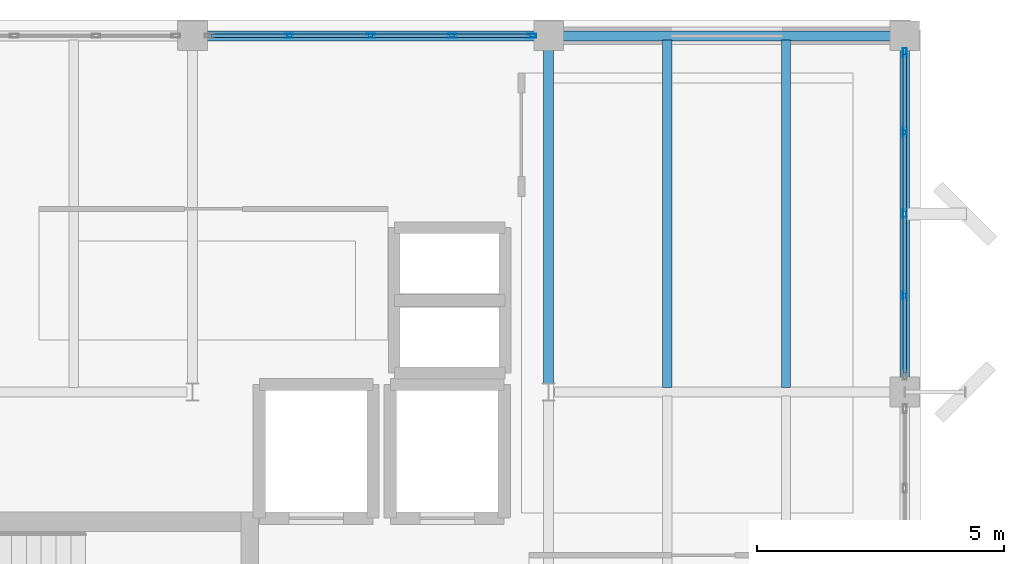
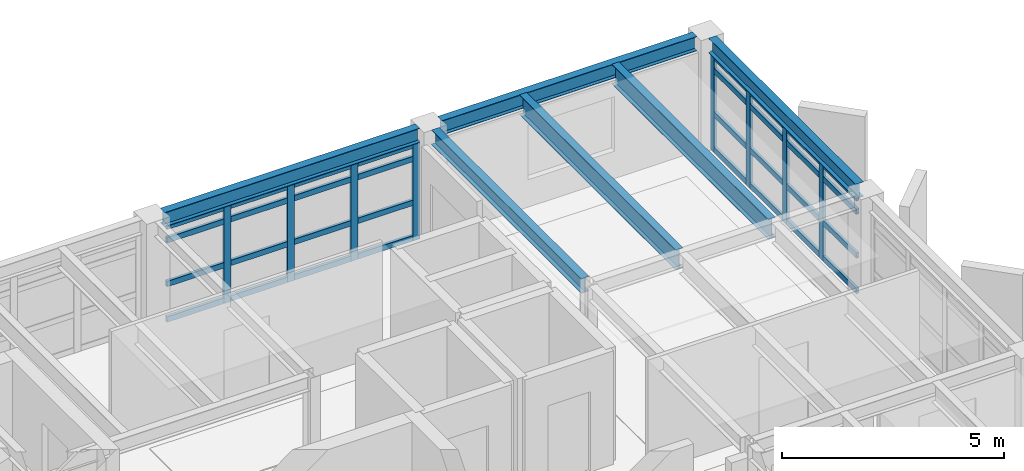
# One storey, part 8 of 15: 40 members, 6 beams, 2 elements without a shape of their own.
"""IFC4 building model written with IfcOpenShell, lengths in metres."""

from ifc_helpers import new_model, si_unit, direction, frame, origin, origin_2d, place, context, subcontext, project, spatial, hollow_rectangle, i_section, extrude, material, layer, layer_set, material_profile, profile_set, type_object, element, aggregate, save


model = new_model("IFC4")

# Units and contexts
model_context = context("Model", 3, precision=1e-05, world=origin(), true_north=direction((0.0, 1.0)))
body_context = subcontext(model_context, "Body", "Model", "MODEL_VIEW")
ifc_project = project(units=[si_unit("LENGTHUNIT", "METRE"), si_unit("AREAUNIT", "SQUARE_METRE"), si_unit("VOLUMEUNIT", "CUBIC_METRE"), si_unit("PLANEANGLEUNIT", "RADIAN"), si_unit("MASSUNIT", "GRAM", prefix="KILO")], contexts=[model_context])

# Site, building, storey
site_placement = place(None, origin())
site = spatial("IfcSite", under=ifc_project, at=site_placement, CompositionType="ELEMENT")
building_placement = place(site_placement, origin())
building = spatial("IfcBuilding", under=site, at=building_placement, Name="Kandorven Conservatory and Botanical Research Centre", CompositionType="ELEMENT")
storey_placement = place(building_placement, frame((0.0, 0.0, 56.10009765625)))
storey = spatial("IfcBuildingStorey", under=building, at=storey_placement, Name="L14", CompositionType="ELEMENT", Elevation=56.10009765625)

# Beams
ifc_material_1 = material(Name="Steel S355 (IS 2062 E350)", Category="steel")
ifc_material_profile_1 = material_profile(ifc_material_1, i_section(OverallWidth=0.199951171875, OverallDepth=0.39990234375, WebThickness=0.008544921875, FlangeThickness=0.012939453125, at=origin_2d()))
ifc_profile_set_1 = profile_set([ifc_material_profile_1], Name="Steel S355 (IS 2062 E350)")
beam_type_1 = type_object("IfcBeamType", Name="Beam_FG-03", PredefinedType="USERDEFINED", material=ifc_profile_set_1)
for number, where, z_axis, x_axis, name in (
    (1, (20.68994140625, 27.60009765625, 2.887939453125), (1.0, 0.0, 0.0), (0.0, 1.0, 0.0), "Primary girder FG-03 TWR L14"),
    (2, (27.889892578125, 27.60009765625, 2.887939453125), (1.0, 0.0, 0.0), (0.0, 1.0, 0.0), "Primary girder FG-03 TWR L14"),
):
    element("IfcBeam", number, at=place(storey_placement, frame(where, z_axis=z_axis, x_axis=x_axis)), inside=storey, type_object=beam_type_1, Name=name, ObjectType="GIRDER", PredefinedType="USERDEFINED", context=body_context, shape_type="SweptSolid", body=[
        extrude(i_section(OverallWidth=0.199951171875, OverallDepth=0.39990234375, WebThickness=0.008544921875, FlangeThickness=0.012939453125, at=origin_2d()), origin(), (0.0, 0.0, 1.0), 6.6201171875),
    ])
beam_1_placement = place(storey_placement, frame((27.60009765625, 20.56494140625, 2.887939453125), z_axis=(0.0, 1.0, 0.0), x_axis=(-1.0, 0.0, 0.0)))
element("IfcBeam", 3, at=beam_1_placement, inside=storey, type_object=beam_type_1, Name="Primary girder FG-03 TWR L14", ObjectType="GIRDER", PredefinedType="USERDEFINED", context=body_context, shape_type="SweptSolid", body=[
    extrude(i_section(OverallWidth=0.199951171875, OverallDepth=0.39990234375, WebThickness=0.008544921875, FlangeThickness=0.012939453125, at=origin_2d()), origin(), (0.0, 0.0, 1.0), 6.7451171875),
])
beam_2_placement = place(storey_placement, frame((34.800048828125, 20.68994140625, 2.887939453125), z_axis=(0.0, 1.0, 0.0), x_axis=(-1.0, 0.0, 0.0)))
element("IfcBeam", 4, at=beam_2_placement, inside=storey, type_object=beam_type_1, Name="Primary girder FG-03 TWR L14", ObjectType="GIRDER", PredefinedType="USERDEFINED", context=body_context, shape_type="SweptSolid", body=[
    extrude(i_section(OverallWidth=0.199951171875, OverallDepth=0.39990234375, WebThickness=0.008544921875, FlangeThickness=0.012939453125, at=origin_2d()), origin(), (0.0, 0.0, 1.0), 6.6201171875),
])
ifc_material_2 = material(Name="Steel S355 (IS 2062 E350)", Category="steel")
ifc_material_profile_2 = material_profile(ifc_material_2, i_section(OverallWidth=0.18994140625, OverallDepth=0.550048828125, WebThickness=0.01123046875, FlangeThickness=0.019287109375, at=origin_2d()))
ifc_profile_set_2 = profile_set([ifc_material_profile_2], Name="Steel S355 (IS 2062 E350)")
beam_type_2 = type_object("IfcBeamType", Name="Beam_SB-02", PredefinedType="BEAM", material=ifc_profile_set_2)
for number, where, z_axis, x_axis, name in (
    (5, (30.0, 20.485107421875, 2.81298828125), (0.0, 1.0, 0.0), (-1.0, 0.0, 0.0), "Composite secondary beam SB-02 TWR L14"),
    (6, (32.39990234375, 20.485107421875, 2.81298828125), (0.0, 1.0, 0.0), (-1.0, 0.0, 0.0), "Composite secondary beam SB-02 TWR L14"),
):
    element("IfcBeam", number, at=place(storey_placement, frame(where, z_axis=z_axis, x_axis=x_axis)), inside=storey, type_object=beam_type_2, Name=name, PredefinedType="BEAM", context=body_context, shape_type="SweptSolid", body=[
        extrude(i_section(OverallWidth=0.18994140625, OverallDepth=0.550048828125, WebThickness=0.01123046875, FlangeThickness=0.019287109375, at=origin_2d()), origin(), (0.0, 0.0, 1.0), 7.02978515625),
    ])

# Curtain wall, members
ifc_material_3 = material(Name="Bronze anodised thermally broken aluminium", Category="aluminium")
ifc_layer = layer(ifc_material_3, 0.179931640625)
ifc_layer_set = layer_set([ifc_layer], Name="Bronze anodised thermally broken aluminium")
curtain_wall_type = type_object("IfcCurtainWallType", Name="CW_Unitised", PredefinedType="USERDEFINED", material=ifc_layer_set)
curtain_wall_1_placement = place(storey_placement, origin())
curtain_wall_1 = element("IfcCurtainWall", 7, at=curtain_wall_1_placement, inside=storey, type_object=curtain_wall_type, Name="Tower laboratory curtain wall CW-TWR-N-L14-3", ObjectType="UNITISED GLAZING", PredefinedType="USERDEFINED")
ifc_material_4 = material(Name="Bronze anodised thermally broken aluminium", Category="aluminium")
ifc_material_profile_3 = material_profile(ifc_material_4, hollow_rectangle(XDim=0.080078125, YDim=0.179931640625, WallThickness=0.006103515625, at=origin_2d()))
ifc_profile_set_3 = profile_set([ifc_material_profile_3], Name="Bronze anodised thermally broken aluminium")
member_type_1 = type_object("IfcMemberType", Name="CW_Mullion", PredefinedType="MULLION", material=ifc_profile_set_3)
member_1_placement = place(storey_placement, frame((22.35009765625, 27.60009765625, 0.0), z_axis=(0.0, 0.0, 1.0), x_axis=(0.0, 1.0, 0.0)))
member_1 = element("IfcMember", 8, at=member_1_placement, type_object=member_type_1, Name="CW-01 mullion 2", PredefinedType="MULLION", context=body_context, shape_type="SweptSolid", body=[
    extrude(hollow_rectangle(XDim=0.080078125, YDim=0.179931640625, WallThickness=0.006103515625, at=origin_2d()), origin(), (0.0, 0.0, 1.0), 2.69482421875),
])
member_2_placement = place(storey_placement, frame((24.0, 27.60009765625, 0.0), z_axis=(0.0, 0.0, 1.0), x_axis=(0.0, 1.0, 0.0)))
member_2 = element("IfcMember", 9, at=member_2_placement, type_object=member_type_1, Name="CW-01 mullion 3", PredefinedType="MULLION", context=body_context, shape_type="SweptSolid", body=[
    extrude(hollow_rectangle(XDim=0.080078125, YDim=0.179931640625, WallThickness=0.006103515625, at=origin_2d()), origin(), (0.0, 0.0, 1.0), 2.69482421875),
])
member_3_placement = place(storey_placement, frame((25.64990234375, 27.60009765625, 0.0), z_axis=(0.0, 0.0, 1.0), x_axis=(0.0, 1.0, 0.0)))
member_3 = element("IfcMember", 10, at=member_3_placement, type_object=member_type_1, Name="CW-01 mullion 4", PredefinedType="MULLION", context=body_context, shape_type="SweptSolid", body=[
    extrude(hollow_rectangle(XDim=0.080078125, YDim=0.179931640625, WallThickness=0.006103515625, at=origin_2d()), origin(), (0.0, 0.0, 1.0), 2.69482421875),
])
member_4_placement = place(storey_placement, frame((27.260009765625, 27.60009765625, 0.0), z_axis=(0.0, 0.0, 1.0), x_axis=(0.0, 1.0, 0.0)))
member_4 = element("IfcMember", 11, at=member_4_placement, type_object=member_type_1, Name="CW-01 mullion 5", PredefinedType="MULLION", context=body_context, shape_type="SweptSolid", body=[
    extrude(hollow_rectangle(XDim=0.080078125, YDim=0.179931640625, WallThickness=0.006103515625, at=origin_2d()), origin(), (0.0, 0.0, 1.0), 2.69482421875),
])

curtain_wall_2_placement = place(storey_placement, origin())
curtain_wall_2 = element("IfcCurtainWall", 12, at=curtain_wall_2_placement, inside=storey, type_object=curtain_wall_type, Name="Tower laboratory curtain wall CW-TWR-E-L14-3", ObjectType="UNITISED GLAZING", PredefinedType="USERDEFINED")
member_5_placement = place(storey_placement, frame((34.800048828125, 22.35009765625, 0.0), z_axis=(0.0, 0.0, 1.0), x_axis=(-1.0, 0.0, 0.0)))
member_5 = element("IfcMember", 13, at=member_5_placement, type_object=member_type_1, Name="CW-01 mullion 2", PredefinedType="MULLION", context=body_context, shape_type="SweptSolid", body=[
    extrude(hollow_rectangle(XDim=0.080078125, YDim=0.179931640625, WallThickness=0.006103515625, at=origin_2d()), origin(), (0.0, 0.0, 1.0), 2.69482421875),
])
member_6_placement = place(storey_placement, frame((34.800048828125, 24.0, 0.0), z_axis=(0.0, 0.0, 1.0), x_axis=(-1.0, 0.0, 0.0)))
member_6 = element("IfcMember", 14, at=member_6_placement, type_object=member_type_1, Name="CW-01 mullion 3", PredefinedType="MULLION", context=body_context, shape_type="SweptSolid", body=[
    extrude(hollow_rectangle(XDim=0.080078125, YDim=0.179931640625, WallThickness=0.006103515625, at=origin_2d()), origin(), (0.0, 0.0, 1.0), 2.69482421875),
])
member_7_placement = place(storey_placement, frame((34.800048828125, 25.64990234375, 0.0), z_axis=(0.0, 0.0, 1.0), x_axis=(-1.0, 0.0, 0.0)))
member_7 = element("IfcMember", 15, at=member_7_placement, type_object=member_type_1, Name="CW-01 mullion 4", PredefinedType="MULLION", context=body_context, shape_type="SweptSolid", body=[
    extrude(hollow_rectangle(XDim=0.080078125, YDim=0.179931640625, WallThickness=0.006103515625, at=origin_2d()), origin(), (0.0, 0.0, 1.0), 2.69482421875),
])
member_8_placement = place(storey_placement, frame((34.800048828125, 27.260009765625, 0.0), z_axis=(0.0, 0.0, 1.0), x_axis=(-1.0, 0.0, 0.0)))
member_8 = element("IfcMember", 16, at=member_8_placement, type_object=member_type_1, Name="CW-01 mullion 5", PredefinedType="MULLION", context=body_context, shape_type="SweptSolid", body=[
    extrude(hollow_rectangle(XDim=0.080078125, YDim=0.179931640625, WallThickness=0.006103515625, at=origin_2d()), origin(), (0.0, 0.0, 1.0), 2.69482421875),
])

# Member
ifc_material_5 = material(Name="Bronze anodised thermally broken aluminium", Category="aluminium")
ifc_material_profile_4 = material_profile(ifc_material_5, hollow_rectangle(XDim=0.074951171875, YDim=0.14990234375, WallThickness=0.006103515625, at=origin_2d()))
ifc_profile_set_4 = profile_set([ifc_material_profile_4], Name="Bronze anodised thermally broken aluminium")
member_type_2 = type_object("IfcMemberType", Name="CW_Transom", PredefinedType="USERDEFINED", material=ifc_profile_set_4)
member_9_placement = place(storey_placement, frame((20.780029296875, 27.60009765625, 0.074951171875), z_axis=(1.0, 0.0, 0.0), x_axis=(0.0, 1.0, 0.0)))
member_9 = element("IfcMember", 17, at=member_9_placement, type_object=member_type_2, Name="CW-01 transom 1.1", ObjectType="TRANSOM", PredefinedType="USERDEFINED", context=body_context, shape_type="SweptSolid", body=[
    extrude(hollow_rectangle(XDim=0.074951171875, YDim=0.14990234375, WallThickness=0.006103515625, at=origin_2d()), origin(), (0.0, 0.0, 1.0), 1.530029296875),
])

member_10_placement = place(storey_placement, frame((20.780029296875, 27.60009765625, 1.0498046875), z_axis=(1.0, 0.0, 0.0), x_axis=(0.0, 1.0, 0.0)))
member_10 = element("IfcMember", 18, at=member_10_placement, type_object=member_type_2, Name="CW-01 transom 1.2", ObjectType="TRANSOM", PredefinedType="USERDEFINED", context=body_context, shape_type="SweptSolid", body=[
    extrude(hollow_rectangle(XDim=0.074951171875, YDim=0.14990234375, WallThickness=0.006103515625, at=origin_2d()), origin(), (0.0, 0.0, 1.0), 1.530029296875),
])

member_11_placement = place(storey_placement, frame((20.780029296875, 27.60009765625, 2.25), z_axis=(1.0, 0.0, 0.0), x_axis=(0.0, 1.0, 0.0)))
member_11 = element("IfcMember", 19, at=member_11_placement, type_object=member_type_2, Name="CW-01 transom 1.3", ObjectType="TRANSOM", PredefinedType="USERDEFINED", context=body_context, shape_type="SweptSolid", body=[
    extrude(hollow_rectangle(XDim=0.074951171875, YDim=0.14990234375, WallThickness=0.006103515625, at=origin_2d()), origin(), (0.0, 0.0, 1.0), 1.530029296875),
])

member_12_placement = place(storey_placement, frame((20.780029296875, 27.60009765625, 2.619873046875), z_axis=(1.0, 0.0, 0.0), x_axis=(0.0, 1.0, 0.0)))
member_12 = element("IfcMember", 20, at=member_12_placement, type_object=member_type_2, Name="CW-01 transom 1.4", ObjectType="TRANSOM", PredefinedType="USERDEFINED", context=body_context, shape_type="SweptSolid", body=[
    extrude(hollow_rectangle(XDim=0.074951171875, YDim=0.14990234375, WallThickness=0.006103515625, at=origin_2d()), origin(), (0.0, 0.0, 1.0), 1.530029296875),
])

member_13_placement = place(storey_placement, frame((22.389892578125, 27.60009765625, 0.074951171875), z_axis=(1.0, 0.0, 0.0), x_axis=(0.0, 1.0, 0.0)))
member_13 = element("IfcMember", 21, at=member_13_placement, type_object=member_type_2, Name="CW-01 transom 2.1", ObjectType="TRANSOM", PredefinedType="USERDEFINED", context=body_context, shape_type="SweptSolid", body=[
    extrude(hollow_rectangle(XDim=0.074951171875, YDim=0.14990234375, WallThickness=0.006103515625, at=origin_2d()), origin(), (0.0, 0.0, 1.0), 1.570068359375),
])

member_14_placement = place(storey_placement, frame((22.389892578125, 27.60009765625, 1.0498046875), z_axis=(1.0, 0.0, 0.0), x_axis=(0.0, 1.0, 0.0)))
member_14 = element("IfcMember", 22, at=member_14_placement, type_object=member_type_2, Name="CW-01 transom 2.2", ObjectType="TRANSOM", PredefinedType="USERDEFINED", context=body_context, shape_type="SweptSolid", body=[
    extrude(hollow_rectangle(XDim=0.074951171875, YDim=0.14990234375, WallThickness=0.006103515625, at=origin_2d()), origin(), (0.0, 0.0, 1.0), 1.570068359375),
])

member_15_placement = place(storey_placement, frame((22.389892578125, 27.60009765625, 2.25), z_axis=(1.0, 0.0, 0.0), x_axis=(0.0, 1.0, 0.0)))
member_15 = element("IfcMember", 23, at=member_15_placement, type_object=member_type_2, Name="CW-01 transom 2.3", ObjectType="TRANSOM", PredefinedType="USERDEFINED", context=body_context, shape_type="SweptSolid", body=[
    extrude(hollow_rectangle(XDim=0.074951171875, YDim=0.14990234375, WallThickness=0.006103515625, at=origin_2d()), origin(), (0.0, 0.0, 1.0), 1.570068359375),
])

member_16_placement = place(storey_placement, frame((22.389892578125, 27.60009765625, 2.619873046875), z_axis=(1.0, 0.0, 0.0), x_axis=(0.0, 1.0, 0.0)))
member_16 = element("IfcMember", 24, at=member_16_placement, type_object=member_type_2, Name="CW-01 transom 2.4", ObjectType="TRANSOM", PredefinedType="USERDEFINED", context=body_context, shape_type="SweptSolid", body=[
    extrude(hollow_rectangle(XDim=0.074951171875, YDim=0.14990234375, WallThickness=0.006103515625, at=origin_2d()), origin(), (0.0, 0.0, 1.0), 1.570068359375),
])

member_17_placement = place(storey_placement, frame((24.0400390625, 27.60009765625, 0.074951171875), z_axis=(1.0, 0.0, 0.0), x_axis=(0.0, 1.0, 0.0)))
member_17 = element("IfcMember", 25, at=member_17_placement, type_object=member_type_2, Name="CW-01 transom 3.1", ObjectType="TRANSOM", PredefinedType="USERDEFINED", context=body_context, shape_type="SweptSolid", body=[
    extrude(hollow_rectangle(XDim=0.074951171875, YDim=0.14990234375, WallThickness=0.006103515625, at=origin_2d()), origin(), (0.0, 0.0, 1.0), 1.570068359375),
])

member_18_placement = place(storey_placement, frame((24.0400390625, 27.60009765625, 1.0498046875), z_axis=(1.0, 0.0, 0.0), x_axis=(0.0, 1.0, 0.0)))
member_18 = element("IfcMember", 26, at=member_18_placement, type_object=member_type_2, Name="CW-01 transom 3.2", ObjectType="TRANSOM", PredefinedType="USERDEFINED", context=body_context, shape_type="SweptSolid", body=[
    extrude(hollow_rectangle(XDim=0.074951171875, YDim=0.14990234375, WallThickness=0.006103515625, at=origin_2d()), origin(), (0.0, 0.0, 1.0), 1.570068359375),
])

member_19_placement = place(storey_placement, frame((24.0400390625, 27.60009765625, 2.25), z_axis=(1.0, 0.0, 0.0), x_axis=(0.0, 1.0, 0.0)))
member_19 = element("IfcMember", 27, at=member_19_placement, type_object=member_type_2, Name="CW-01 transom 3.3", ObjectType="TRANSOM", PredefinedType="USERDEFINED", context=body_context, shape_type="SweptSolid", body=[
    extrude(hollow_rectangle(XDim=0.074951171875, YDim=0.14990234375, WallThickness=0.006103515625, at=origin_2d()), origin(), (0.0, 0.0, 1.0), 1.570068359375),
])

member_20_placement = place(storey_placement, frame((24.0400390625, 27.60009765625, 2.619873046875), z_axis=(1.0, 0.0, 0.0), x_axis=(0.0, 1.0, 0.0)))
member_20 = element("IfcMember", 28, at=member_20_placement, type_object=member_type_2, Name="CW-01 transom 3.4", ObjectType="TRANSOM", PredefinedType="USERDEFINED", context=body_context, shape_type="SweptSolid", body=[
    extrude(hollow_rectangle(XDim=0.074951171875, YDim=0.14990234375, WallThickness=0.006103515625, at=origin_2d()), origin(), (0.0, 0.0, 1.0), 1.570068359375),
])

member_21_placement = place(storey_placement, frame((25.68994140625, 27.60009765625, 0.074951171875), z_axis=(1.0, 0.0, 0.0), x_axis=(0.0, 1.0, 0.0)))
member_21 = element("IfcMember", 29, at=member_21_placement, type_object=member_type_2, Name="CW-01 transom 4.1", ObjectType="TRANSOM", PredefinedType="USERDEFINED", context=body_context, shape_type="SweptSolid", body=[
    extrude(hollow_rectangle(XDim=0.074951171875, YDim=0.14990234375, WallThickness=0.006103515625, at=origin_2d()), origin(), (0.0, 0.0, 1.0), 1.530029296875),
])

member_22_placement = place(storey_placement, frame((25.68994140625, 27.60009765625, 1.0498046875), z_axis=(1.0, 0.0, 0.0), x_axis=(0.0, 1.0, 0.0)))
member_22 = element("IfcMember", 30, at=member_22_placement, type_object=member_type_2, Name="CW-01 transom 4.2", ObjectType="TRANSOM", PredefinedType="USERDEFINED", context=body_context, shape_type="SweptSolid", body=[
    extrude(hollow_rectangle(XDim=0.074951171875, YDim=0.14990234375, WallThickness=0.006103515625, at=origin_2d()), origin(), (0.0, 0.0, 1.0), 1.530029296875),
])

member_23_placement = place(storey_placement, frame((25.68994140625, 27.60009765625, 2.25), z_axis=(1.0, 0.0, 0.0), x_axis=(0.0, 1.0, 0.0)))
member_23 = element("IfcMember", 31, at=member_23_placement, type_object=member_type_2, Name="CW-01 transom 4.3", ObjectType="TRANSOM", PredefinedType="USERDEFINED", context=body_context, shape_type="SweptSolid", body=[
    extrude(hollow_rectangle(XDim=0.074951171875, YDim=0.14990234375, WallThickness=0.006103515625, at=origin_2d()), origin(), (0.0, 0.0, 1.0), 1.530029296875),
])

member_24_placement = place(storey_placement, frame((25.68994140625, 27.60009765625, 2.619873046875), z_axis=(1.0, 0.0, 0.0), x_axis=(0.0, 1.0, 0.0)))
member_24 = element("IfcMember", 32, at=member_24_placement, type_object=member_type_2, Name="CW-01 transom 4.4", ObjectType="TRANSOM", PredefinedType="USERDEFINED", context=body_context, shape_type="SweptSolid", body=[
    extrude(hollow_rectangle(XDim=0.074951171875, YDim=0.14990234375, WallThickness=0.006103515625, at=origin_2d()), origin(), (0.0, 0.0, 1.0), 1.530029296875),
])

aggregate(curtain_wall_1, [member_1, member_2, member_3, member_4, member_9, member_10, member_11, member_12, member_13, member_14, member_15, member_16, member_17, member_18, member_19, member_20, member_21, member_22, member_23, member_24])

member_25_placement = place(storey_placement, frame((34.800048828125, 20.780029296875, 0.074951171875), z_axis=(0.0, 1.0, 0.0), x_axis=(-1.0, 0.0, 0.0)))
member_25 = element("IfcMember", 33, at=member_25_placement, type_object=member_type_2, Name="CW-01 transom 1.1", ObjectType="TRANSOM", PredefinedType="USERDEFINED", context=body_context, shape_type="SweptSolid", body=[
    extrude(hollow_rectangle(XDim=0.074951171875, YDim=0.14990234375, WallThickness=0.006103515625, at=origin_2d()), origin(), (0.0, 0.0, 1.0), 1.530029296875),
])

member_26_placement = place(storey_placement, frame((34.800048828125, 20.780029296875, 1.0498046875), z_axis=(0.0, 1.0, 0.0), x_axis=(-1.0, 0.0, 0.0)))
member_26 = element("IfcMember", 34, at=member_26_placement, type_object=member_type_2, Name="CW-01 transom 1.2", ObjectType="TRANSOM", PredefinedType="USERDEFINED", context=body_context, shape_type="SweptSolid", body=[
    extrude(hollow_rectangle(XDim=0.074951171875, YDim=0.14990234375, WallThickness=0.006103515625, at=origin_2d()), origin(), (0.0, 0.0, 1.0), 1.530029296875),
])

member_27_placement = place(storey_placement, frame((34.800048828125, 20.780029296875, 2.25), z_axis=(0.0, 1.0, 0.0), x_axis=(-1.0, 0.0, 0.0)))
member_27 = element("IfcMember", 35, at=member_27_placement, type_object=member_type_2, Name="CW-01 transom 1.3", ObjectType="TRANSOM", PredefinedType="USERDEFINED", context=body_context, shape_type="SweptSolid", body=[
    extrude(hollow_rectangle(XDim=0.074951171875, YDim=0.14990234375, WallThickness=0.006103515625, at=origin_2d()), origin(), (0.0, 0.0, 1.0), 1.530029296875),
])

member_28_placement = place(storey_placement, frame((34.800048828125, 20.780029296875, 2.619873046875), z_axis=(0.0, 1.0, 0.0), x_axis=(-1.0, 0.0, 0.0)))
member_28 = element("IfcMember", 36, at=member_28_placement, type_object=member_type_2, Name="CW-01 transom 1.4", ObjectType="TRANSOM", PredefinedType="USERDEFINED", context=body_context, shape_type="SweptSolid", body=[
    extrude(hollow_rectangle(XDim=0.074951171875, YDim=0.14990234375, WallThickness=0.006103515625, at=origin_2d()), origin(), (0.0, 0.0, 1.0), 1.530029296875),
])

member_29_placement = place(storey_placement, frame((34.800048828125, 22.389892578125, 0.074951171875), z_axis=(0.0, 1.0, 0.0), x_axis=(-1.0, 0.0, 0.0)))
member_29 = element("IfcMember", 37, at=member_29_placement, type_object=member_type_2, Name="CW-01 transom 2.1", ObjectType="TRANSOM", PredefinedType="USERDEFINED", context=body_context, shape_type="SweptSolid", body=[
    extrude(hollow_rectangle(XDim=0.074951171875, YDim=0.14990234375, WallThickness=0.006103515625, at=origin_2d()), origin(), (0.0, 0.0, 1.0), 1.570068359375),
])

member_30_placement = place(storey_placement, frame((34.800048828125, 22.389892578125, 1.0498046875), z_axis=(0.0, 1.0, 0.0), x_axis=(-1.0, 0.0, 0.0)))
member_30 = element("IfcMember", 38, at=member_30_placement, type_object=member_type_2, Name="CW-01 transom 2.2", ObjectType="TRANSOM", PredefinedType="USERDEFINED", context=body_context, shape_type="SweptSolid", body=[
    extrude(hollow_rectangle(XDim=0.074951171875, YDim=0.14990234375, WallThickness=0.006103515625, at=origin_2d()), origin(), (0.0, 0.0, 1.0), 1.570068359375),
])

member_31_placement = place(storey_placement, frame((34.800048828125, 22.389892578125, 2.25), z_axis=(0.0, 1.0, 0.0), x_axis=(-1.0, 0.0, 0.0)))
member_31 = element("IfcMember", 39, at=member_31_placement, type_object=member_type_2, Name="CW-01 transom 2.3", ObjectType="TRANSOM", PredefinedType="USERDEFINED", context=body_context, shape_type="SweptSolid", body=[
    extrude(hollow_rectangle(XDim=0.074951171875, YDim=0.14990234375, WallThickness=0.006103515625, at=origin_2d()), origin(), (0.0, 0.0, 1.0), 1.570068359375),
])

member_32_placement = place(storey_placement, frame((34.800048828125, 22.389892578125, 2.619873046875), z_axis=(0.0, 1.0, 0.0), x_axis=(-1.0, 0.0, 0.0)))
member_32 = element("IfcMember", 40, at=member_32_placement, type_object=member_type_2, Name="CW-01 transom 2.4", ObjectType="TRANSOM", PredefinedType="USERDEFINED", context=body_context, shape_type="SweptSolid", body=[
    extrude(hollow_rectangle(XDim=0.074951171875, YDim=0.14990234375, WallThickness=0.006103515625, at=origin_2d()), origin(), (0.0, 0.0, 1.0), 1.570068359375),
])

member_33_placement = place(storey_placement, frame((34.800048828125, 24.0400390625, 0.074951171875), z_axis=(0.0, 1.0, 0.0), x_axis=(-1.0, 0.0, 0.0)))
member_33 = element("IfcMember", 41, at=member_33_placement, type_object=member_type_2, Name="CW-01 transom 3.1", ObjectType="TRANSOM", PredefinedType="USERDEFINED", context=body_context, shape_type="SweptSolid", body=[
    extrude(hollow_rectangle(XDim=0.074951171875, YDim=0.14990234375, WallThickness=0.006103515625, at=origin_2d()), origin(), (0.0, 0.0, 1.0), 1.570068359375),
])

member_34_placement = place(storey_placement, frame((34.800048828125, 24.0400390625, 1.0498046875), z_axis=(0.0, 1.0, 0.0), x_axis=(-1.0, 0.0, 0.0)))
member_34 = element("IfcMember", 42, at=member_34_placement, type_object=member_type_2, Name="CW-01 transom 3.2", ObjectType="TRANSOM", PredefinedType="USERDEFINED", context=body_context, shape_type="SweptSolid", body=[
    extrude(hollow_rectangle(XDim=0.074951171875, YDim=0.14990234375, WallThickness=0.006103515625, at=origin_2d()), origin(), (0.0, 0.0, 1.0), 1.570068359375),
])

member_35_placement = place(storey_placement, frame((34.800048828125, 24.0400390625, 2.25), z_axis=(0.0, 1.0, 0.0), x_axis=(-1.0, 0.0, 0.0)))
member_35 = element("IfcMember", 43, at=member_35_placement, type_object=member_type_2, Name="CW-01 transom 3.3", ObjectType="TRANSOM", PredefinedType="USERDEFINED", context=body_context, shape_type="SweptSolid", body=[
    extrude(hollow_rectangle(XDim=0.074951171875, YDim=0.14990234375, WallThickness=0.006103515625, at=origin_2d()), origin(), (0.0, 0.0, 1.0), 1.570068359375),
])

member_36_placement = place(storey_placement, frame((34.800048828125, 24.0400390625, 2.619873046875), z_axis=(0.0, 1.0, 0.0), x_axis=(-1.0, 0.0, 0.0)))
member_36 = element("IfcMember", 44, at=member_36_placement, type_object=member_type_2, Name="CW-01 transom 3.4", ObjectType="TRANSOM", PredefinedType="USERDEFINED", context=body_context, shape_type="SweptSolid", body=[
    extrude(hollow_rectangle(XDim=0.074951171875, YDim=0.14990234375, WallThickness=0.006103515625, at=origin_2d()), origin(), (0.0, 0.0, 1.0), 1.570068359375),
])

member_37_placement = place(storey_placement, frame((34.800048828125, 25.68994140625, 0.074951171875), z_axis=(0.0, 1.0, 0.0), x_axis=(-1.0, 0.0, 0.0)))
member_37 = element("IfcMember", 45, at=member_37_placement, type_object=member_type_2, Name="CW-01 transom 4.1", ObjectType="TRANSOM", PredefinedType="USERDEFINED", context=body_context, shape_type="SweptSolid", body=[
    extrude(hollow_rectangle(XDim=0.074951171875, YDim=0.14990234375, WallThickness=0.006103515625, at=origin_2d()), origin(), (0.0, 0.0, 1.0), 1.530029296875),
])

member_38_placement = place(storey_placement, frame((34.800048828125, 25.68994140625, 1.0498046875), z_axis=(0.0, 1.0, 0.0), x_axis=(-1.0, 0.0, 0.0)))
member_38 = element("IfcMember", 46, at=member_38_placement, type_object=member_type_2, Name="CW-01 transom 4.2", ObjectType="TRANSOM", PredefinedType="USERDEFINED", context=body_context, shape_type="SweptSolid", body=[
    extrude(hollow_rectangle(XDim=0.074951171875, YDim=0.14990234375, WallThickness=0.006103515625, at=origin_2d()), origin(), (0.0, 0.0, 1.0), 1.530029296875),
])

member_39_placement = place(storey_placement, frame((34.800048828125, 25.68994140625, 2.25), z_axis=(0.0, 1.0, 0.0), x_axis=(-1.0, 0.0, 0.0)))
member_39 = element("IfcMember", 47, at=member_39_placement, type_object=member_type_2, Name="CW-01 transom 4.3", ObjectType="TRANSOM", PredefinedType="USERDEFINED", context=body_context, shape_type="SweptSolid", body=[
    extrude(hollow_rectangle(XDim=0.074951171875, YDim=0.14990234375, WallThickness=0.006103515625, at=origin_2d()), origin(), (0.0, 0.0, 1.0), 1.530029296875),
])

member_40_placement = place(storey_placement, frame((34.800048828125, 25.68994140625, 2.619873046875), z_axis=(0.0, 1.0, 0.0), x_axis=(-1.0, 0.0, 0.0)))
member_40 = element("IfcMember", 48, at=member_40_placement, type_object=member_type_2, Name="CW-01 transom 4.4", ObjectType="TRANSOM", PredefinedType="USERDEFINED", context=body_context, shape_type="SweptSolid", body=[
    extrude(hollow_rectangle(XDim=0.074951171875, YDim=0.14990234375, WallThickness=0.006103515625, at=origin_2d()), origin(), (0.0, 0.0, 1.0), 1.530029296875),
])

aggregate(curtain_wall_2, [member_5, member_6, member_7, member_8, member_25, member_26, member_27, member_28, member_29, member_30, member_31, member_32, member_33, member_34, member_35, member_36, member_37, member_38, member_39, member_40])

save(model, "model.ifc")
